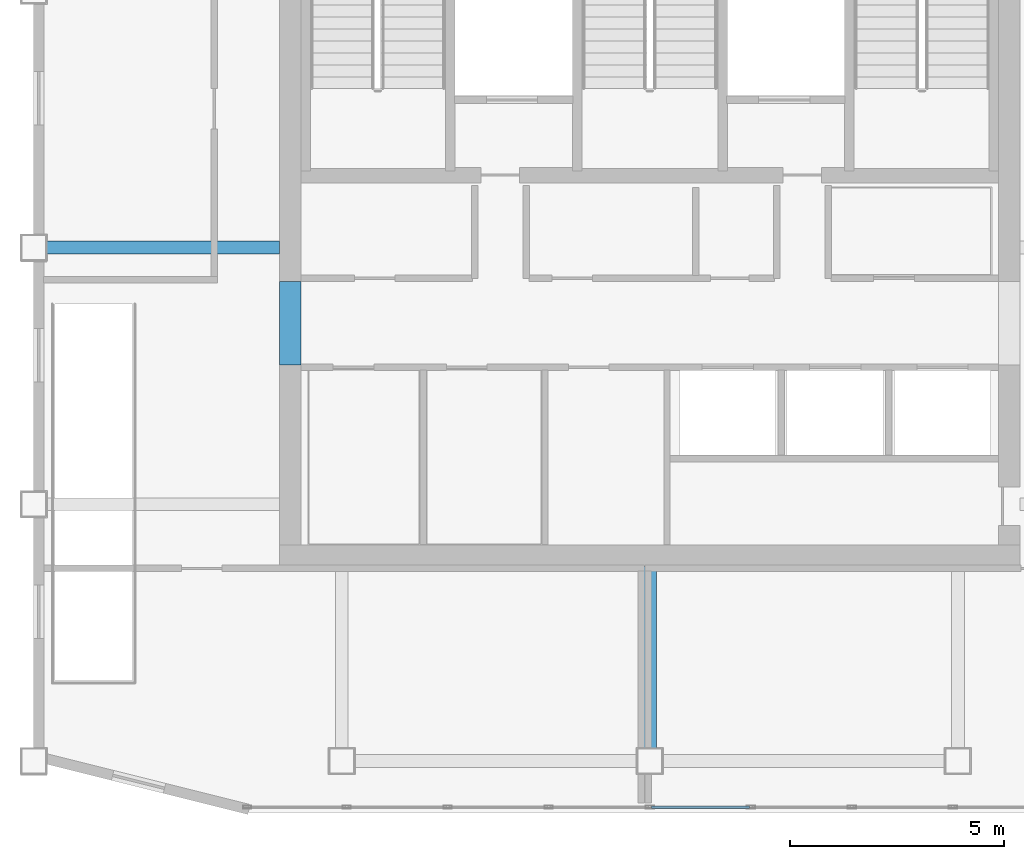
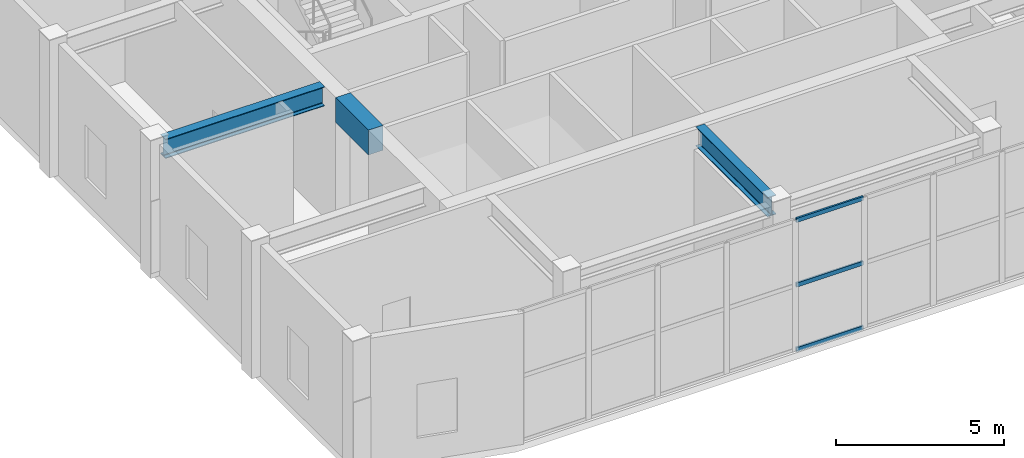
# One storey, part 3 of 11: 3 beams, 3 members, 1 element without a shape of its own.
"""IFC4 building model written with IfcOpenShell, lengths in metres."""

from ifc_helpers import new_model, si_unit, direction, frame, origin, origin_2d, place, context, subcontext, project, spatial, rectangle, hollow_rectangle, i_section, extrude, material, layer, layer_set, material_profile, profile_set, type_object, element, aggregate, save


model = new_model("IFC4")

# Units and contexts
model_context = context("Model", 3, precision=1e-05, world=origin(), true_north=direction((0.0, 1.0)))
body_context = subcontext(model_context, "Body", "Model", "MODEL_VIEW")
ifc_project = project(units=[si_unit("LENGTHUNIT", "METRE"), si_unit("AREAUNIT", "SQUARE_METRE"), si_unit("VOLUMEUNIT", "CUBIC_METRE"), si_unit("PLANEANGLEUNIT", "RADIAN"), si_unit("MASSUNIT", "GRAM", prefix="KILO")], contexts=[model_context])

# Site, building, storey
site_placement = place(None, origin())
site = spatial("IfcSite", under=ifc_project, at=site_placement, CompositionType="ELEMENT")
building_placement = place(site_placement, origin())
building = spatial("IfcBuilding", under=site, at=building_placement, Name="Haolan Belvedere Tower", CompositionType="ELEMENT")
storey_placement = place(building_placement, frame((0.0, 0.0, 323.199951171875)))
storey = spatial("IfcBuildingStorey", under=building, at=storey_placement, Name="L81", CompositionType="ELEMENT", Elevation=323.199951171875)

# Beams
ifc_material_1 = material(Name="Steel Q355B", Category="steel")
ifc_material_profile_1 = material_profile(ifc_material_1, i_section(OverallWidth=0.300048828125, OverallDepth=0.699951171875, WebThickness=0.012939453125, FlangeThickness=0.02392578125, FilletRadius=0.02587890625, at=origin_2d()), Name="Steel Q355B")
ifc_profile_set_1 = profile_set([ifc_material_profile_1], Name="Steel Q355B")
beam_type_1 = type_object("IfcBeamType", Name="BM-HN700x300x13x24", PredefinedType="BEAM", material=ifc_profile_set_1)
beam_1_placement = place(storey_placement, frame((24.300048828125, 33.60009765625, 4.400146484375), z_axis=(1.0, 0.0, 0.0), x_axis=(0.0, 1.0, 0.0)))
element("IfcBeam", 1, at=beam_1_placement, inside=storey, type_object=beam_type_1, Name="L81 core tie beam from MC-T3-MW", PredefinedType="BEAM", context=body_context, shape_type="SweptSolid", body=[
    extrude(i_section(OverallWidth=0.300048828125, OverallDepth=0.699951171875, WebThickness=0.012939453125, FlangeThickness=0.02392578125, FilletRadius=0.02587890625, at=origin_2d()), origin(), (0.0, 0.0, 1.0), 5.449951171875),
])
beam_2_placement = place(storey_placement, frame((38.39990234375, 21.89990234375, 4.400146484375), z_axis=(0.0, 1.0, 0.0), x_axis=(-1.0, 0.0, 0.0)))
element("IfcBeam", 2, at=beam_2_placement, inside=storey, type_object=beam_type_1, Name="L81 core tie beam from TC-T3-SM", PredefinedType="BEAM", context=body_context, shape_type="SweptSolid", body=[
    extrude(i_section(OverallWidth=0.300048828125, OverallDepth=0.699951171875, WebThickness=0.012939453125, FlangeThickness=0.02392578125, FilletRadius=0.02587890625, at=origin_2d()), origin(), (0.0, 0.0, 1.0), 4.25),
])
ifc_material_2 = material(Name="Concrete C60/75", Category="concrete")
ifc_material_profile_2 = material_profile(ifc_material_2, rectangle(XDim=0.5, YDim=0.89990234375, at=origin_2d()), Name="Concrete C60/75")
ifc_profile_set_2 = profile_set([ifc_material_profile_2], Name="Concrete C60/75")
beam_type_2 = type_object("IfcBeamType", Name="BM-RC500x900", PredefinedType="LINTEL", material=ifc_profile_set_2)
beam_3_placement = place(storey_placement, frame((30.0, 30.85009765625, 4.300048828125), z_axis=(0.0, 1.0, 0.0), x_axis=(-1.0, 0.0, 0.0)))
element("IfcBeam", 3, at=beam_3_placement, inside=storey, type_object=beam_type_2, Name="L81 west core coupling beam CB-01", PredefinedType="LINTEL", context=body_context, shape_type="SweptSolid", body=[
    extrude(rectangle(XDim=0.5, YDim=0.89990234375, at=origin_2d()), origin(), (0.0, 0.0, 1.0), 1.949951171875),
])

# Curtain wall, members
ifc_material_3 = material(Name="Anodised champagne-silver aluminium 6063-T6 and Low-E glass", Category="aluminium")
ifc_layer = layer(ifc_material_3, 0.195068359375, Name="Anodised champagne-silver aluminium 6063-T6 and Low-E glass")
ifc_layer_set = layer_set([ifc_layer], Name="Anodised champagne-silver aluminium 6063-T6 and Low-E glass")
curtain_wall_type = type_object("IfcCurtainWallType", Name="CW-SYS-06", PredefinedType="NOTDEFINED", material=ifc_layer_set)
curtain_wall_placement = place(storey_placement, origin())
curtain_wall = element("IfcCurtainWall", 4, at=curtain_wall_placement, inside=storey, type_object=curtain_wall_type, Name="L81 CW-SYS-06 ribbon curtain wall 1.1", PredefinedType="NOTDEFINED")
ifc_material_4 = material(Name="Anodised aluminium 6063-T6", Category="aluminium")
ifc_material_profile_3 = material_profile(ifc_material_4, hollow_rectangle(XDim=0.06494140625, YDim=0.14990234375, WallThickness=0.00390625, at=origin_2d()), Name="Anodised aluminium 6063-T6")
ifc_profile_set_3 = profile_set([ifc_material_profile_3], Name="Anodised aluminium 6063-T6")
member_type = type_object("IfcMemberType", Name="CW-SYS-06-TRN", PredefinedType="USERDEFINED", material=ifc_profile_set_3)
member_1_placement = place(storey_placement, frame((38.43505859375, 20.52001953125, 0.032470703125), z_axis=(1.0, 0.0, 0.0), x_axis=(0.0, 1.0, 0.0)))
member_1 = element("IfcMember", 5, at=member_1_placement, type_object=member_type, Name="CW-06 transom 5.1", ObjectType="TRANSOM", PredefinedType="USERDEFINED", context=body_context, shape_type="SweptSolid", body=[
    extrude(hollow_rectangle(XDim=0.06494140625, YDim=0.14990234375, WallThickness=0.00390625, at=origin_2d()), origin(), (0.0, 0.0, 1.0), 2.291259765625),
])
member_2_placement = place(storey_placement, frame((38.43505859375, 20.52001953125, 2.375), z_axis=(1.0, 0.0, 0.0), x_axis=(0.0, 1.0, 0.0)))
member_2 = element("IfcMember", 6, at=member_2_placement, type_object=member_type, Name="CW-06 transom 5.2", ObjectType="TRANSOM", PredefinedType="USERDEFINED", context=body_context, shape_type="SweptSolid", body=[
    extrude(hollow_rectangle(XDim=0.06494140625, YDim=0.14990234375, WallThickness=0.00390625, at=origin_2d()), origin(), (0.0, 0.0, 1.0), 2.291259765625),
])
member_3_placement = place(storey_placement, frame((38.43505859375, 20.52001953125, 4.717529296875), z_axis=(1.0, 0.0, 0.0), x_axis=(0.0, 1.0, 0.0)))
member_3 = element("IfcMember", 7, at=member_3_placement, type_object=member_type, Name="CW-06 transom 5.3", ObjectType="TRANSOM", PredefinedType="USERDEFINED", context=body_context, shape_type="SweptSolid", body=[
    extrude(hollow_rectangle(XDim=0.06494140625, YDim=0.14990234375, WallThickness=0.00390625, at=origin_2d()), origin(), (0.0, 0.0, 1.0), 2.291259765625),
])
aggregate(curtain_wall, [member_1, member_2, member_3])

save(model, "model.ifc")
